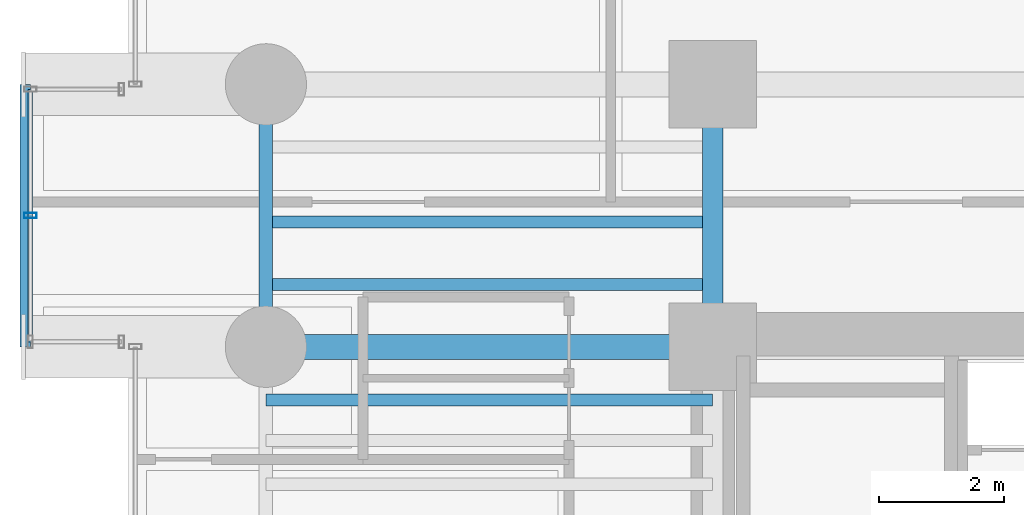
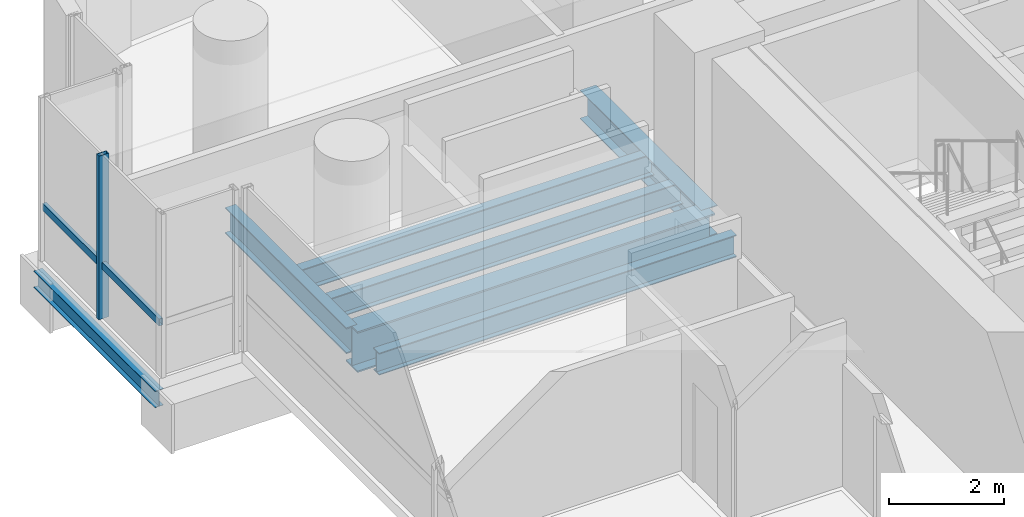
# One storey, part 11 of 40: 7 beams, 2 members, 1 element without a shape of its own.
"""IFC4 building model written with IfcOpenShell, lengths in metres."""

import ifcopenshell
import ifcopenshell.guid

model = None  # the IFC model being written
_history = None  # IfcOwnerHistory: only IFC2X3 demands one
_inside = {}  # id of a spatial element -> (the spatial element, [elements in it])
_under = {}  # id of a project, library or spatial element -> (it, [spatial elements below it])
_declared = {}  # id of a project -> (the project, [libraries it declares])
_typed = {}  # id of a type object -> (the type object, [elements of that type])
_made_of = {}  # id of a material, layer set ... -> (it, [elements and type objects made of it])


def new_model(schema):
    """Start an empty IFC model of exactly this schema.

    Asked for "IFC4X3", IfcOpenShell would pick the latest addendum, in which some entities
    have other attributes; the version numbers below select the first issue.
    IFC2X3 requires an IfcOwnerHistory on every rooted entity: one is made here for all.
    """
    global model, _history
    if schema == "IFC4X3":
        model = ifcopenshell.file(schema_version=(4, 3, 0, 0))
    else:
        model = ifcopenshell.file(schema=schema)
    _inside.clear()
    _under.clear()
    _declared.clear()
    _typed.clear()
    _made_of.clear()
    _history = None
    if model.schema == "IFC2X3":
        org = make("IfcOrganization", Name="unknown")
        user = make(
            "IfcPersonAndOrganization",
            ThePerson=make("IfcPerson", FamilyName="unknown"),
            TheOrganization=org,
        )
        app = make(
            "IfcApplication",
            ApplicationDeveloper=org,
            Version="unknown",
            ApplicationFullName="unknown",
            ApplicationIdentifier="unknown",
        )
        _history = make(
            "IfcOwnerHistory",
            OwningUser=user,
            OwningApplication=app,
            ChangeAction="ADDED",
            CreationDate=0,
        )
    return model


def make(cls, **values):
    """One entity of the class cls with the attributes given. An attribute that is None is left unset."""
    return model.create_entity(
        cls, **{name: value for name, value in values.items() if value is not None}
    )


def rooted(cls, **values):
    """An entity with a GlobalId (a new one), such as an element, a storey or a relation."""
    return make(cls, GlobalId=ifcopenshell.guid.new(), OwnerHistory=_history, **values)


def si_unit(unit_type, name, prefix=None):
    """IfcSIUnit, for example si_unit("LENGTHUNIT", "METRE", prefix="MILLI")."""
    return make("IfcSIUnit", UnitType=unit_type, Prefix=prefix, Name=name)


def assignment(units):
    """IfcUnitAssignment: the units of a project."""
    return None if units is None else make("IfcUnitAssignment", Units=units)


def point(xyz):
    """IfcCartesianPoint."""
    return None if xyz is None else make("IfcCartesianPoint", Coordinates=xyz)


def direction(xyz):
    """IfcDirection."""
    return None if xyz is None else make("IfcDirection", DirectionRatios=xyz)


def frame(location, z_axis=None, x_axis=None):
    """IfcAxis2Placement3D, a coordinate frame: its origin and axes. An axis left out is left unset."""
    return make(
        "IfcAxis2Placement3D",
        Location=point(location),
        Axis=direction(z_axis),
        RefDirection=direction(x_axis),
    )


def frame_2d(location, x_axis=None):
    """IfcAxis2Placement2D, a coordinate frame in the plane: its origin and x axis."""
    return make(
        "IfcAxis2Placement2D", Location=point(location), RefDirection=direction(x_axis)
    )


def origin():
    """The frame at (0, 0, 0) with its axes left unset."""
    return frame((0.0, 0.0, 0.0))


def origin_2d():
    """The frame at (0, 0) in the plane with its x axis left unset."""
    return frame_2d((0.0, 0.0))


def place(relative_to, where):
    """IfcLocalPlacement: puts the frame where relative to a parent placement (None: the world)."""
    return make(
        "IfcLocalPlacement", PlacementRelTo=relative_to, RelativePlacement=where
    )


def context(
    kind, dimensions, precision=None, world=None, true_north=None, identifier=None
):
    """IfcGeometricRepresentationContext, for example the 3D "Model" context."""
    return make(
        "IfcGeometricRepresentationContext",
        ContextIdentifier=identifier,
        ContextType=kind,
        CoordinateSpaceDimension=dimensions,
        Precision=precision,
        WorldCoordinateSystem=world,
        TrueNorth=true_north,
    )


def subcontext(parent, identifier, kind, view, scale=None):
    """IfcGeometricRepresentationSubContext, for example "Body" below "Model"."""
    return make(
        "IfcGeometricRepresentationSubContext",
        ContextIdentifier=identifier,
        ContextType=kind,
        ParentContext=parent,
        TargetScale=scale,
        TargetView=view,
    )


def project(units=None, contexts=None):
    """IfcProject with its units and contexts."""
    return rooted(
        "IfcProject",
        Name="project",
        RepresentationContexts=contexts,
        UnitsInContext=assignment(units),
    )


def spatial(cls, under=None, at=None, **own):
    """A site, building, storey or space (cls), placed at a placement, below another one or the project."""
    s = rooted(cls, ObjectPlacement=at, **own)
    if under is not None:
        _under.setdefault(under.id(), (under, []))[1].append(s)
    return s


def profile(cls, at=None, kind="AREA", **sizes):
    """A parametric profile (cls). Its sizes go by their IFC names, for example OverallWidth=200.0."""
    return make(cls, ProfileType=kind, Position=at, **sizes)


def hollow_rectangle(**sizes):
    """IfcRectangleHollowProfileDef."""
    return profile("IfcRectangleHollowProfileDef", **sizes)


def i_section(**sizes):
    """IfcIShapeProfileDef."""
    return profile("IfcIShapeProfileDef", **sizes)


def extrude(swept, where, along, depth):
    """IfcExtrudedAreaSolid: the profile swept, set in the frame where, extruded along a direction by depth."""
    return make(
        "IfcExtrudedAreaSolid",
        SweptArea=swept,
        Position=where,
        ExtrudedDirection=direction(along),
        Depth=depth,
    )


def shape(context_of_items, identifier, shape_type, items):
    """IfcShapeRepresentation: the items that make up one representation, for example the "Body"."""
    return make(
        "IfcShapeRepresentation",
        ContextOfItems=context_of_items,
        RepresentationIdentifier=identifier,
        RepresentationType=shape_type,
        Items=items,
    )


def source(mapping_origin, context_of_items, identifier, shape_type, items):
    """IfcRepresentationMap: a shape defined once, which mapped items show again and again."""
    return make(
        "IfcRepresentationMap",
        MappingOrigin=mapping_origin,
        MappedRepresentation=shape(context_of_items, identifier, shape_type, items),
    )


def transform(
    local_origin,
    x_axis=None,
    y_axis=None,
    z_axis=None,
    scale=None,
    scale2=None,
    scale3=None,
    uniform=True,
):
    """IfcCartesianTransformationOperator3D, or its non-uniform kind. x_axis, y_axis, z_axis: its Axis1, 2, 3."""
    if uniform:
        return make(
            "IfcCartesianTransformationOperator3D",
            Axis1=direction(x_axis),
            Axis2=direction(y_axis),
            LocalOrigin=point(local_origin),
            Scale=scale,
            Axis3=direction(z_axis),
        )
    return make(
        "IfcCartesianTransformationOperator3DnonUniform",
        Axis1=direction(x_axis),
        Axis2=direction(y_axis),
        LocalOrigin=point(local_origin),
        Scale=scale,
        Axis3=direction(z_axis),
        Scale2=scale2,
        Scale3=scale3,
    )


def mapped(mapping_source, mapping_target):
    """IfcMappedItem: shows the shape of a source again, moved by a transform."""
    return make(
        "IfcMappedItem", MappingSource=mapping_source, MappingTarget=mapping_target
    )


def material(Name=None, Category=None):
    """IfcMaterial."""
    return make("IfcMaterial", Name=Name, Category=Category)


def material_profile(
    of_material, cross_section, Name=None, Category=None, Priority=None
):
    """IfcMaterialProfile: a cross section and its material."""
    return make(
        "IfcMaterialProfile",
        Name=Name,
        Material=of_material,
        Profile=cross_section,
        Priority=Priority,
        Category=Category,
    )


def profile_set(profiles, Name=None, composite=None):
    """IfcMaterialProfileSet."""
    return make(
        "IfcMaterialProfileSet",
        Name=Name,
        MaterialProfiles=profiles,
        CompositeProfile=composite,
    )


def made_of(thing, what):
    """Note that an element or type object is made of a material, layer set ...; save() writes the relation."""
    if what is not None:
        _made_of.setdefault(what.id(), (what, []))[1].append(thing)
    return thing


def type_object(cls, material=None, **own):
    """A type object (cls), such as IfcWallType, which elements share."""
    return made_of(rooted(cls, **own), material)


def element(
    cls,
    number,
    at=None,
    inside=None,
    cuts=None,
    type_object=None,
    material=None,
    context=None,
    identifier="Body",
    shape_type=None,
    held_by="IfcProductDefinitionShape",
    body=None,
    shapes=None,
    **own,
):
    """One element of the class cls, such as IfcWall. Its Tag is "e" and its number.

    at: its placement. inside: the storey or other place that contains it. cuts: it is an
    opening in that element (IfcRelVoidsElement). A single representation is given by context,
    identifier, shape_type and body (its items); several are given by shapes. held_by: the class
    of the entity that holds the representations. save() writes the other relations.
    """
    e = rooted(cls, Tag="e%d" % number, ObjectPlacement=at, **own)
    if body is not None:
        shapes = [shape(context, identifier, shape_type, body)]
    if shapes is not None:
        e.Representation = make(held_by, Representations=shapes)
    if inside is not None:
        _inside.setdefault(inside.id(), (inside, []))[1].append(e)
    if cuts is not None:
        rooted(
            "IfcRelVoidsElement", RelatingBuildingElement=cuts, RelatedOpeningElement=e
        )
    if type_object is not None:
        _typed.setdefault(type_object.id(), (type_object, []))[1].append(e)
    return made_of(e, material)


def aggregate(whole, parts):
    """IfcRelAggregates: a whole, such as a stair, and the parts it consists of."""
    return rooted("IfcRelAggregates", RelatingObject=whole, RelatedObjects=parts)


def save(model, path):
    """Write the relations noted so far, then the file.

    IfcRelAggregates (storeys below a building ...), IfcRelContainedInSpatialStructure (elements
    in a storey), IfcRelDefinesByType, IfcRelAssociatesMaterial and IfcRelDeclares: one each for
    every whole, place, type object, material and project.
    """
    for whole, parts in _under.values():
        aggregate(whole, parts)
    for where, things in _inside.values():
        rooted(
            "IfcRelContainedInSpatialStructure",
            RelatedElements=things,
            RelatingStructure=where,
        )
    for kind, things in _typed.values():
        rooted("IfcRelDefinesByType", RelatedObjects=things, RelatingType=kind)
    for what, things in _made_of.values():
        rooted("IfcRelAssociatesMaterial", RelatedObjects=things, RelatingMaterial=what)
    for by, libraries in _declared.values():
        rooted("IfcRelDeclares", RelatingContext=by, RelatedDefinitions=libraries)
    model.write(path)


model = new_model("IFC4")

# Units and contexts
model_context = context("Model", 3, precision=1e-05, world=origin(), true_north=direction((0.0, 1.0)))
body_context = subcontext(model_context, "Body", "Model", "MODEL_VIEW")
ifc_project = project(units=[si_unit("LENGTHUNIT", "METRE"), si_unit("AREAUNIT", "SQUARE_METRE"), si_unit("VOLUMEUNIT", "CUBIC_METRE"), si_unit("PLANEANGLEUNIT", "RADIAN"), si_unit("MASSUNIT", "GRAM", prefix="KILO")], contexts=[model_context])

# Site, building, storey
site_placement = place(None, origin())
site = spatial("IfcSite", under=ifc_project, at=site_placement, CompositionType="ELEMENT")
building_placement = place(site_placement, origin())
building = spatial("IfcBuilding", under=site, at=building_placement, Name="Valdorenza Pilgrim Sanctuary Tower", CompositionType="ELEMENT")
storey_placement = place(building_placement, frame((0.0, 0.0, 81.5)))
storey = spatial("IfcBuildingStorey", under=building, at=storey_placement, Name="L20", CompositionType="ELEMENT", Elevation=81.5)

# Beams
ifc_material_1 = material(Name="Steel ASTM A992 Grade 50", Category="steel")
ifc_material_profile_1 = material_profile(ifc_material_1, i_section(OverallWidth=0.214111328125, OverallDepth=0.549072265625, WebThickness=0.0146484375, FlangeThickness=0.023681640625, at=origin_2d()), Name="W21X93")
ifc_profile_set_1 = profile_set([ifc_material_profile_1], Name="Steel ASTM A992 Grade 50")
beam_type_1 = type_object("IfcBeamType", Name="STR-BM-SPN-W21A", PredefinedType="SPANDREL", material=ifc_profile_set_1)
shared_shape_1 = source(origin(), body_context, "Body", "SweptSolid", [
    extrude(i_section(OverallWidth=0.214111328125, OverallDepth=0.549072265625, WebThickness=0.0146484375, FlangeThickness=0.023681640625, at=origin_2d()), origin(), (0.0, 0.0, 1.0), 4.199951171875),
])
beam_1_placement = place(storey_placement, frame((-29.800048828125, 10.60009765625, -0.514404296875), z_axis=(0.0, 1.0, 0.0), x_axis=(-1.0, 0.0, 0.0)))
element("IfcBeam", 1, at=beam_1_placement, inside=storey, type_object=beam_type_1, Name="L20 Spandrel Beam WA-W-N1N2", PredefinedType="SPANDREL", context=body_context, shape_type="MappedRepresentation", body=[
    mapped(shared_shape_1, transform((0.0, 0.0, 0.0), x_axis=(1.0, 0.0, 0.0), y_axis=(0.0, 1.0, 0.0), z_axis=(0.0, 0.0, 1.0), scale=1.0)),
])
ifc_material_profile_2 = material_profile(ifc_material_1, i_section(OverallWidth=0.323974609375, OverallDepth=0.611083984375, WebThickness=0.0126953125, FlangeThickness=0.01904296875, at=origin_2d()), Name="W24X104")
ifc_profile_set_2 = profile_set([ifc_material_profile_2], Name="Steel ASTM A992 Grade 50")
beam_type_2 = type_object("IfcBeamType", Name="STR-BM-GRD-W24B", PredefinedType="BEAM", material=ifc_profile_set_2)
shared_shape_2 = source(origin(), body_context, "Body", "SweptSolid", [
    extrude(i_section(OverallWidth=0.323974609375, OverallDepth=0.611083984375, WebThickness=0.0126953125, FlangeThickness=0.01904296875, at=origin_2d()), origin(), (0.0, 0.0, 1.0), 4.199951171875),
])
beam_2_placement = place(storey_placement, frame((-22.64990234375, 10.60009765625, -0.54541015625), z_axis=(0.0, 1.0, 0.0), x_axis=(-1.0, 0.0, 0.0)))
element("IfcBeam", 2, at=beam_2_placement, inside=storey, type_object=beam_type_2, Name="L20 Core Tie Girder CA-W-N1N2", PredefinedType="BEAM", context=body_context, shape_type="MappedRepresentation", body=[
    mapped(shared_shape_2, transform((0.0, 0.0, 0.0), x_axis=(1.0, 0.0, 0.0), y_axis=(0.0, 1.0, 0.0), z_axis=(0.0, 0.0, 1.0), scale=1.0)),
])
ifc_material_profile_3 = material_profile(ifc_material_1, i_section(OverallWidth=0.193115234375, OverallDepth=0.466064453125, WebThickness=0.011474609375, FlangeThickness=0.01904296875, at=origin_2d()), Name="W18X65")
ifc_profile_set_3 = profile_set([ifc_material_profile_3], Name="Steel ASTM A992 Grade 50")
beam_type_3 = type_object("IfcBeamType", Name="STR-BM-JST-W18A", PredefinedType="JOIST", material=ifc_profile_set_3)
shared_shape_3 = source(origin(), body_context, "Body", "SweptSolid", [
    extrude(i_section(OverallWidth=0.193115234375, OverallDepth=0.466064453125, WebThickness=0.011474609375, FlangeThickness=0.01904296875, at=origin_2d()), origin(), (0.0, 0.0, 1.0), 7.150146484375),
])
for number, where, z_axis, x_axis, name in (
    (3, (-29.800048828125, 9.75, -0.472900390625), (1.0, 0.0, 0.0), (0.0, 1.0, 0.0), "L20 Composite Floor Joist JST-WA-23"),
    (4, (-29.800048828125, 11.60009765625, -0.472900390625), (1.0, 0.0, 0.0), (0.0, 1.0, 0.0), "L20 Composite Floor Joist JST-WA-24"),
    (5, (-29.800048828125, 12.60009765625, -0.472900390625), (1.0, 0.0, 0.0), (0.0, 1.0, 0.0), "L20 Composite Floor Joist JST-WA-25"),
):
    element("IfcBeam", number, at=place(storey_placement, frame(where, z_axis=z_axis, x_axis=x_axis)), inside=storey, type_object=beam_type_3, Name=name, PredefinedType="JOIST", context=body_context, shape_type="MappedRepresentation", body=[
        mapped(shared_shape_3, transform((0.0, 0.0, 0.0), x_axis=(1.0, 0.0, 0.0), y_axis=(0.0, 1.0, 0.0), z_axis=(0.0, 0.0, 1.0), scale=1.0)),
    ])
ifc_material_profile_4 = material_profile(ifc_material_1, i_section(OverallWidth=0.39990234375, OverallDepth=0.862060546875, WebThickness=0.019775390625, FlangeThickness=0.032470703125, at=origin_2d()), Name="W33X221")
ifc_profile_set_4 = profile_set([ifc_material_profile_4], Name="Steel ASTM A992 Grade 50")
beam_type_4 = type_object("IfcBeamType", Name="STR-BM-GRD-W33", PredefinedType="BEAM", material=ifc_profile_set_4)
shared_shape_4 = source(origin(), body_context, "Body", "SweptSolid", [
    extrude(i_section(OverallWidth=0.39990234375, OverallDepth=0.862060546875, WebThickness=0.019775390625, FlangeThickness=0.032470703125, at=origin_2d()), origin(), (0.0, 0.0, 1.0), 7.150146484375),
])
beam_3_placement = place(storey_placement, frame((-29.800048828125, 10.60009765625, -0.6708984375), z_axis=(1.0, 0.0, 0.0), x_axis=(0.0, 1.0, 0.0)))
element("IfcBeam", 6, at=beam_3_placement, inside=storey, type_object=beam_type_4, Name="L20 Floor Girder WA-XW-N1", PredefinedType="BEAM", context=body_context, shape_type="MappedRepresentation", body=[
    mapped(shared_shape_4, transform((0.0, 0.0, 0.0), x_axis=(1.0, 0.0, 0.0), y_axis=(0.0, 1.0, 0.0), z_axis=(0.0, 0.0, 1.0), scale=1.0)),
])
ifc_material_profile_5 = material_profile(ifc_material_1, i_section(OverallWidth=0.1708984375, OverallDepth=0.35107421875, WebThickness=0.0068359375, FlangeThickness=0.009765625, at=origin_2d()), Name="W14X30")
ifc_profile_set_5 = profile_set([ifc_material_profile_5], Name="Steel ASTM A992 Grade 50")
beam_type_5 = type_object("IfcBeamType", Name="STR-BM-BOX-W14", PredefinedType="BEAM", material=ifc_profile_set_5)
shared_shape_5 = source(origin(), body_context, "Body", "SweptSolid", [
    extrude(i_section(OverallWidth=0.1708984375, OverallDepth=0.35107421875, WebThickness=0.0068359375, FlangeThickness=0.009765625, at=origin_2d()), origin(), (0.0, 0.0, 1.0), 4.199951171875),
])
beam_4_placement = place(storey_placement, frame((-33.64990234375, 10.60009765625, -0.41552734375), z_axis=(0.0, 1.0, 0.0), x_axis=(-1.0, 0.0, 0.0)))
element("IfcBeam", 7, at=beam_4_placement, inside=storey, type_object=beam_type_5, Name="L20 Glass Box Edge Beam BOX-WA-L20-F", PredefinedType="BEAM", context=body_context, shape_type="MappedRepresentation", body=[
    mapped(shared_shape_5, transform((0.0, 0.0, 0.0), x_axis=(1.0, 0.0, 0.0), y_axis=(0.0, 1.0, 0.0), z_axis=(0.0, 0.0, 1.0), scale=1.0)),
])

# Curtain wall, members
ifc_material_2 = material(Name="Curtain-wall IGU glazing", Category="glass")
curtain_wall_type = type_object("IfcCurtainWallType", Name="CW-SYS-02", PredefinedType="NOTDEFINED", material=ifc_material_2)
curtain_wall_placement = place(storey_placement, origin())
curtain_wall = element("IfcCurtainWall", 8, at=curtain_wall_placement, inside=storey, type_object=curtain_wall_type, Name="L20 Curtain Wall CW-L20-BOX-WA-L20-F", PredefinedType="NOTDEFINED")
ifc_material_3 = material(Name="Anodised aluminium AW-6060", Category="aluminium")
ifc_material_profile_6 = material_profile(ifc_material_3, hollow_rectangle(XDim=0.0849609375, YDim=0.199951171875, WallThickness=0.0048828125, at=origin_2d()), Name="ALU-M 200x85x5")
ifc_profile_set_6 = profile_set([ifc_material_profile_6], Name="Anodised aluminium AW-6060")
member_type_1 = type_object("IfcMemberType", Name="CW-MUL-02", PredefinedType="MULLION", material=ifc_profile_set_6)
shared_shape_6 = source(origin(), body_context, "Body", "SweptSolid", [
    extrude(hollow_rectangle(XDim=0.0849609375, YDim=0.199951171875, WallThickness=0.0048828125, at=origin_2d()), origin(), (0.0, 0.0, 1.0), 3.4599609375),
])
member_1_placement = place(storey_placement, frame((-33.570068359375, 12.699951171875, 0.0), z_axis=(0.0, 0.0, 1.0), x_axis=(0.0, 1.0, 0.0)))
member_1 = element("IfcMember", 9, at=member_1_placement, type_object=member_type_1, Name="CW-L20-BOX-WA-L20-F Mullion 2", PredefinedType="MULLION", context=body_context, shape_type="MappedRepresentation", body=[
    mapped(shared_shape_6, transform((0.0, 0.0, 0.0), x_axis=(1.0, 0.0, 0.0), y_axis=(0.0, 1.0, 0.0), z_axis=(0.0, 0.0, 1.0), scale=1.0)),
])
ifc_material_profile_7 = material_profile(ifc_material_3, hollow_rectangle(XDim=0.074951171875, YDim=0.14990234375, WallThickness=0.00390625, at=origin_2d()), Name="ALU-T 150x75x4")
ifc_profile_set_7 = profile_set([ifc_material_profile_7], Name="Anodised aluminium AW-6060")
member_type_2 = type_object("IfcMemberType", Name="CW-TRN-02", PredefinedType="USERDEFINED", material=ifc_profile_set_7)
shared_shape_7 = source(origin(), body_context, "Body", "SweptSolid", [
    extrude(hollow_rectangle(XDim=0.074951171875, YDim=0.14990234375, WallThickness=0.00390625, at=origin_2d()), origin(), (0.0, 0.0, 1.0), 4.0400390625),
])
member_2_placement = place(storey_placement, frame((-33.570068359375, 10.679931640625, 1.1201171875), z_axis=(0.0, 1.0, 0.0), x_axis=(-1.0, 0.0, 0.0)))
member_2 = element("IfcMember", 10, at=member_2_placement, type_object=member_type_2, Name="CW-L20-BOX-WA-L20-F Transom 1", ObjectType="TRANSOM", PredefinedType="USERDEFINED", context=body_context, shape_type="MappedRepresentation", body=[
    mapped(shared_shape_7, transform((0.0, 0.0, 0.0), x_axis=(1.0, 0.0, 0.0), y_axis=(0.0, 1.0, 0.0), z_axis=(0.0, 0.0, 1.0), scale=1.0)),
])
aggregate(curtain_wall, [member_1, member_2])

save(model, "model.ifc")
